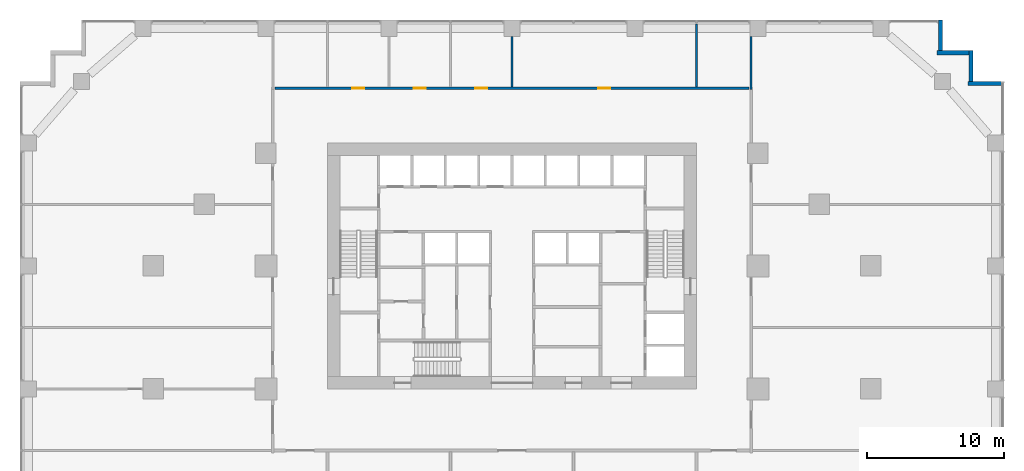
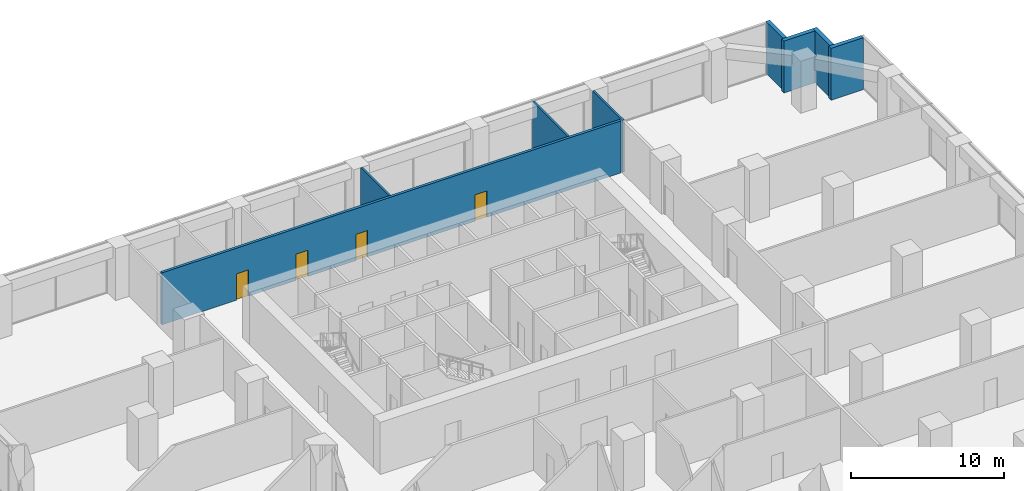
# One storey, part 16 of 18: 8 walls, 4 doors, 4 openings.
"""IFC4 building model written with IfcOpenShell, lengths in metres."""

import ifcopenshell
import ifcopenshell.guid

model = None  # the IFC model being written
_history = None  # IfcOwnerHistory: only IFC2X3 demands one
_inside = {}  # id of a spatial element -> (the spatial element, [elements in it])
_under = {}  # id of a project, library or spatial element -> (it, [spatial elements below it])
_declared = {}  # id of a project -> (the project, [libraries it declares])
_typed = {}  # id of a type object -> (the type object, [elements of that type])
_made_of = {}  # id of a material, layer set ... -> (it, [elements and type objects made of it])


def new_model(schema):
    """Start an empty IFC model of exactly this schema.

    Asked for "IFC4X3", IfcOpenShell would pick the latest addendum, in which some entities
    have other attributes; the version numbers below select the first issue.
    IFC2X3 requires an IfcOwnerHistory on every rooted entity: one is made here for all.
    """
    global model, _history
    if schema == "IFC4X3":
        model = ifcopenshell.file(schema_version=(4, 3, 0, 0))
    else:
        model = ifcopenshell.file(schema=schema)
    _inside.clear()
    _under.clear()
    _declared.clear()
    _typed.clear()
    _made_of.clear()
    _history = None
    if model.schema == "IFC2X3":
        org = make("IfcOrganization", Name="unknown")
        user = make(
            "IfcPersonAndOrganization",
            ThePerson=make("IfcPerson", FamilyName="unknown"),
            TheOrganization=org,
        )
        app = make(
            "IfcApplication",
            ApplicationDeveloper=org,
            Version="unknown",
            ApplicationFullName="unknown",
            ApplicationIdentifier="unknown",
        )
        _history = make(
            "IfcOwnerHistory",
            OwningUser=user,
            OwningApplication=app,
            ChangeAction="ADDED",
            CreationDate=0,
        )
    return model


def make(cls, **values):
    """One entity of the class cls with the attributes given. An attribute that is None is left unset."""
    return model.create_entity(
        cls, **{name: value for name, value in values.items() if value is not None}
    )


def rooted(cls, **values):
    """An entity with a GlobalId (a new one), such as an element, a storey or a relation."""
    return make(cls, GlobalId=ifcopenshell.guid.new(), OwnerHistory=_history, **values)


def si_unit(unit_type, name, prefix=None):
    """IfcSIUnit, for example si_unit("LENGTHUNIT", "METRE", prefix="MILLI")."""
    return make("IfcSIUnit", UnitType=unit_type, Prefix=prefix, Name=name)


def assignment(units):
    """IfcUnitAssignment: the units of a project."""
    return None if units is None else make("IfcUnitAssignment", Units=units)


def point(xyz):
    """IfcCartesianPoint."""
    return None if xyz is None else make("IfcCartesianPoint", Coordinates=xyz)


def direction(xyz):
    """IfcDirection."""
    return None if xyz is None else make("IfcDirection", DirectionRatios=xyz)


def frame(location, z_axis=None, x_axis=None):
    """IfcAxis2Placement3D, a coordinate frame: its origin and axes. An axis left out is left unset."""
    return make(
        "IfcAxis2Placement3D",
        Location=point(location),
        Axis=direction(z_axis),
        RefDirection=direction(x_axis),
    )


def frame_2d(location, x_axis=None):
    """IfcAxis2Placement2D, a coordinate frame in the plane: its origin and x axis."""
    return make(
        "IfcAxis2Placement2D", Location=point(location), RefDirection=direction(x_axis)
    )


def origin():
    """The frame at (0, 0, 0) with its axes left unset."""
    return frame((0.0, 0.0, 0.0))


def place(relative_to, where):
    """IfcLocalPlacement: puts the frame where relative to a parent placement (None: the world)."""
    return make(
        "IfcLocalPlacement", PlacementRelTo=relative_to, RelativePlacement=where
    )


def context(
    kind, dimensions, precision=None, world=None, true_north=None, identifier=None
):
    """IfcGeometricRepresentationContext, for example the 3D "Model" context."""
    return make(
        "IfcGeometricRepresentationContext",
        ContextIdentifier=identifier,
        ContextType=kind,
        CoordinateSpaceDimension=dimensions,
        Precision=precision,
        WorldCoordinateSystem=world,
        TrueNorth=true_north,
    )


def subcontext(parent, identifier, kind, view, scale=None):
    """IfcGeometricRepresentationSubContext, for example "Body" below "Model"."""
    return make(
        "IfcGeometricRepresentationSubContext",
        ContextIdentifier=identifier,
        ContextType=kind,
        ParentContext=parent,
        TargetScale=scale,
        TargetView=view,
    )


def project(units=None, contexts=None):
    """IfcProject with its units and contexts."""
    return rooted(
        "IfcProject",
        Name="project",
        RepresentationContexts=contexts,
        UnitsInContext=assignment(units),
    )


def spatial(cls, under=None, at=None, **own):
    """A site, building, storey or space (cls), placed at a placement, below another one or the project."""
    s = rooted(cls, ObjectPlacement=at, **own)
    if under is not None:
        _under.setdefault(under.id(), (under, []))[1].append(s)
    return s


def profile(cls, at=None, kind="AREA", **sizes):
    """A parametric profile (cls). Its sizes go by their IFC names, for example OverallWidth=200.0."""
    return make(cls, ProfileType=kind, Position=at, **sizes)


def rectangle(**sizes):
    """IfcRectangleProfileDef."""
    return profile("IfcRectangleProfileDef", **sizes)


def extrude(swept, where, along, depth):
    """IfcExtrudedAreaSolid: the profile swept, set in the frame where, extruded along a direction by depth."""
    return make(
        "IfcExtrudedAreaSolid",
        SweptArea=swept,
        Position=where,
        ExtrudedDirection=direction(along),
        Depth=depth,
    )


def shape(context_of_items, identifier, shape_type, items):
    """IfcShapeRepresentation: the items that make up one representation, for example the "Body"."""
    return make(
        "IfcShapeRepresentation",
        ContextOfItems=context_of_items,
        RepresentationIdentifier=identifier,
        RepresentationType=shape_type,
        Items=items,
    )


def material(Name=None, Category=None):
    """IfcMaterial."""
    return make("IfcMaterial", Name=Name, Category=Category)


def layer(
    of_material, thickness, ventilated=None, Name=None, Category=None, Priority=None
):
    """IfcMaterialLayer: one layer of a wall or slab, of a material (None: an air gap)."""
    return make(
        "IfcMaterialLayer",
        Material=of_material,
        LayerThickness=thickness,
        IsVentilated=ventilated,
        Name=Name,
        Category=Category,
        Priority=Priority,
    )


def layer_set(layers, Name=None):
    """IfcMaterialLayerSet."""
    return make("IfcMaterialLayerSet", MaterialLayers=layers, LayerSetName=Name)


def made_of(thing, what):
    """Note that an element or type object is made of a material, layer set ...; save() writes the relation."""
    if what is not None:
        _made_of.setdefault(what.id(), (what, []))[1].append(thing)
    return thing


def type_object(cls, material=None, **own):
    """A type object (cls), such as IfcWallType, which elements share."""
    return made_of(rooted(cls, **own), material)


def element(
    cls,
    number,
    at=None,
    inside=None,
    cuts=None,
    type_object=None,
    material=None,
    context=None,
    identifier="Body",
    shape_type=None,
    held_by="IfcProductDefinitionShape",
    body=None,
    shapes=None,
    **own,
):
    """One element of the class cls, such as IfcWall. Its Tag is "e" and its number.

    at: its placement. inside: the storey or other place that contains it. cuts: it is an
    opening in that element (IfcRelVoidsElement). A single representation is given by context,
    identifier, shape_type and body (its items); several are given by shapes. held_by: the class
    of the entity that holds the representations. save() writes the other relations.
    """
    e = rooted(cls, Tag="e%d" % number, ObjectPlacement=at, **own)
    if body is not None:
        shapes = [shape(context, identifier, shape_type, body)]
    if shapes is not None:
        e.Representation = make(held_by, Representations=shapes)
    if inside is not None:
        _inside.setdefault(inside.id(), (inside, []))[1].append(e)
    if cuts is not None:
        rooted(
            "IfcRelVoidsElement", RelatingBuildingElement=cuts, RelatedOpeningElement=e
        )
    if type_object is not None:
        _typed.setdefault(type_object.id(), (type_object, []))[1].append(e)
    return made_of(e, material)


def fill(opening, filler):
    """IfcRelFillsElement: the door or window that sits in an opening."""
    return rooted(
        "IfcRelFillsElement",
        RelatingOpeningElement=opening,
        RelatedBuildingElement=filler,
    )


def aggregate(whole, parts):
    """IfcRelAggregates: a whole, such as a stair, and the parts it consists of."""
    return rooted("IfcRelAggregates", RelatingObject=whole, RelatedObjects=parts)


def save(model, path):
    """Write the relations noted so far, then the file.

    IfcRelAggregates (storeys below a building ...), IfcRelContainedInSpatialStructure (elements
    in a storey), IfcRelDefinesByType, IfcRelAssociatesMaterial and IfcRelDeclares: one each for
    every whole, place, type object, material and project.
    """
    for whole, parts in _under.values():
        aggregate(whole, parts)
    for where, things in _inside.values():
        rooted(
            "IfcRelContainedInSpatialStructure",
            RelatedElements=things,
            RelatingStructure=where,
        )
    for kind, things in _typed.values():
        rooted("IfcRelDefinesByType", RelatedObjects=things, RelatingType=kind)
    for what, things in _made_of.values():
        rooted("IfcRelAssociatesMaterial", RelatedObjects=things, RelatingMaterial=what)
    for by, libraries in _declared.values():
        rooted("IfcRelDeclares", RelatingContext=by, RelatedDefinitions=libraries)
    model.write(path)


model = new_model("IFC4")

# Units and contexts
model_context = context("Model", 3, precision=1e-05, world=origin(), true_north=direction((0.0, 1.0)))
body_context = subcontext(model_context, "Body", "Model", "MODEL_VIEW")
ifc_project = project(units=[si_unit("LENGTHUNIT", "METRE"), si_unit("AREAUNIT", "SQUARE_METRE"), si_unit("VOLUMEUNIT", "CUBIC_METRE"), si_unit("PLANEANGLEUNIT", "RADIAN"), si_unit("MASSUNIT", "GRAM", prefix="KILO")], contexts=[model_context])

# Site, building, storey
site_placement = place(None, origin())
site = spatial("IfcSite", under=ifc_project, at=site_placement, CompositionType="ELEMENT")
building_placement = place(site_placement, origin())
building = spatial("IfcBuilding", under=site, at=building_placement, Name="Orbiselva Terraces", CompositionType="ELEMENT")
storey_placement = place(building_placement, frame((0.0, 0.0, 6.0)))
storey = spatial("IfcBuildingStorey", under=building, at=storey_placement, Name="L01", CompositionType="ELEMENT", Elevation=6.0)

# Walls
ifc_material_1 = material(Name="Terracotta cladding on masonry backing", Category="masonry")
ifc_layer_1 = layer(ifc_material_1, 0.3)
ifc_layer_set_1 = layer_set([ifc_layer_1], Name="Terracotta cladding on masonry backing")
wall_type_1 = type_object("IfcWallType", Name="ENV-WALL-TERRACOTTA-300", PredefinedType="SOLIDWALL", material=ifc_layer_set_1)
wall_1_placement = place(storey_placement, frame((33.35, 26.85, 0.0), z_axis=(0.0, 0.0, 1.0), x_axis=(1.0, 0.0, 0.0)))
element("IfcWall", 1, at=wall_1_placement, inside=storey, type_object=wall_type_1, Name="Facade wall L01 STEP", PredefinedType="SOLIDWALL", context=body_context, shape_type="SweptSolid", body=[
    extrude(rectangle(XDim=2.45, YDim=0.3, at=frame_2d((1.225, 0.0))), origin(), (0.0, 0.0, 1.0), 4.15),
])
wall_2_placement = place(storey_placement, frame((33.6, 29.25, 0.0), z_axis=(0.0, 0.0, 1.0), x_axis=(0.0, -1.0, 0.0)))
element("IfcWall", 2, at=wall_2_placement, inside=storey, type_object=wall_type_1, Name="Facade wall L01 STEP", PredefinedType="SOLIDWALL", context=body_context, shape_type="SweptSolid", body=[
    extrude(rectangle(XDim=2.25, YDim=0.3, at=frame_2d((1.125, 0.0))), origin(), (0.0, 0.0, 1.0), 4.15),
])
wall_3_placement = place(storey_placement, frame((31.1, 29.1, 0.0), z_axis=(0.0, 0.0, 1.0), x_axis=(1.0, 0.0, 0.0)))
element("IfcWall", 3, at=wall_3_placement, inside=storey, type_object=wall_type_1, Name="Facade wall L01 STEP", PredefinedType="SOLIDWALL", context=body_context, shape_type="SweptSolid", body=[
    extrude(rectangle(XDim=2.35, YDim=0.3, at=frame_2d((1.175, 0.0))), origin(), (0.0, 0.0, 1.0), 4.15),
])
wall_4_placement = place(storey_placement, frame((31.35, 31.5, 0.0), z_axis=(0.0, 0.0, 1.0), x_axis=(0.0, -1.0, 0.0)))
element("IfcWall", 4, at=wall_4_placement, inside=storey, type_object=wall_type_1, Name="Facade wall L01 STEP", PredefinedType="SOLIDWALL", context=body_context, shape_type="SweptSolid", body=[
    extrude(rectangle(XDim=2.25, YDim=0.3, at=frame_2d((1.125, 0.0))), origin(), (0.0, 0.0, 1.0), 4.15),
])

# Wall, openings, doors
ifc_material_2 = material(Name="Plasterboard on steel stud partition", Category="steel")
ifc_layer_2 = layer(ifc_material_2, 0.2)
ifc_layer_set_2 = layer_set([ifc_layer_2], Name="Plasterboard on steel stud partition")
wall_type_2 = type_object("IfcWallType", Name="UNIT-ENTRANCE-WALL-200", PredefinedType="PARTITIONING", material=ifc_layer_set_2)
wall_5_placement = place(storey_placement, frame((-17.325, 26.5, 0.0), z_axis=(0.0, 0.0, 1.0), x_axis=(1.0, 0.0, 0.0)))
wall_5 = element("IfcWall", 5, at=wall_5_placement, inside=storey, type_object=wall_type_2, Name="PARTITION L01-026", PredefinedType="PARTITIONING", context=body_context, shape_type="SweptSolid", body=[
    extrude(rectangle(XDim=34.65, YDim=0.2, at=frame_2d((17.325, 0.0))), origin(), (0.0, 0.0, 1.0), 4.15),
])
opening_1_placement = place(wall_5_placement, frame((5.625, 0.0, 0.0)))
opening_1 = element("IfcOpeningElement", 6, at=opening_1_placement, cuts=wall_5, Name="Opening PODIUM-AMENITY-11", PredefinedType="OPENING", context=body_context, shape_type="SweptSolid", body=[
    extrude(rectangle(XDim=0.9, YDim=2.1, at=frame_2d((0.45, 1.05))), frame((0.0, 0.11, 0.0), z_axis=(0.0, -1.0, 0.0), x_axis=(1.0, 0.0, 0.0)), (0.0, 0.0, 1.0), 0.22),
])
opening_2_placement = place(wall_5_placement, frame((10.125, 0.0, 0.0)))
opening_2 = element("IfcOpeningElement", 7, at=opening_2_placement, cuts=wall_5, Name="Opening PODIUM-AMENITY-12", PredefinedType="OPENING", context=body_context, shape_type="SweptSolid", body=[
    extrude(rectangle(XDim=0.9, YDim=2.1, at=frame_2d((0.45, 1.05))), frame((0.0, 0.11, 0.0), z_axis=(0.0, -1.0, 0.0), x_axis=(1.0, 0.0, 0.0)), (0.0, 0.0, 1.0), 0.22),
])
opening_3_placement = place(wall_5_placement, frame((14.625, 0.0, 0.0)))
opening_3 = element("IfcOpeningElement", 8, at=opening_3_placement, cuts=wall_5, Name="Opening PODIUM-AMENITY-13", PredefinedType="OPENING", context=body_context, shape_type="SweptSolid", body=[
    extrude(rectangle(XDim=0.9, YDim=2.1, at=frame_2d((0.45, 1.05))), frame((0.0, 0.11, 0.0), z_axis=(0.0, -1.0, 0.0), x_axis=(1.0, 0.0, 0.0)), (0.0, 0.0, 1.0), 0.22),
])
opening_4_placement = place(wall_5_placement, frame((23.625, 0.0, 0.0)))
opening_4 = element("IfcOpeningElement", 9, at=opening_4_placement, cuts=wall_5, Name="Opening PODIUM-AMENITY-14", PredefinedType="OPENING", context=body_context, shape_type="SweptSolid", body=[
    extrude(rectangle(XDim=0.9, YDim=2.1, at=frame_2d((0.45, 1.05))), frame((0.0, 0.11, 0.0), z_axis=(0.0, -1.0, 0.0), x_axis=(1.0, 0.0, 0.0)), (0.0, 0.0, 1.0), 0.22),
])
ifc_material_3 = material(Name="Painted timber door leaf", Category="wood")
door_type_1 = type_object("IfcDoorType", Name="BATH DOOR 900", OperationType="NOTDEFINED", PredefinedType="DOOR", material=ifc_material_3)
door_1_placement = place(opening_1_placement, origin())
door_1 = element("IfcDoor", 10, at=door_1_placement, inside=storey, type_object=door_type_1, Name="PODIUM-AMENITY-11", OperationType="SINGLE_SWING_LEFT", OverallHeight=2.1, OverallWidth=0.9, PredefinedType="DOOR", context=body_context, shape_type="SweptSolid", body=[
    extrude(rectangle(XDim=0.9, YDim=2.1, at=frame_2d((0.45, 1.05))), frame((0.0, 0.025, 0.0), z_axis=(0.0, -1.0, 0.0), x_axis=(1.0, 0.0, 0.0)), (0.0, 0.0, 1.0), 0.05),
])
fill(opening_1, door_1)
door_2_placement = place(opening_2_placement, origin())
door_2 = element("IfcDoor", 11, at=door_2_placement, inside=storey, type_object=door_type_1, Name="PODIUM-AMENITY-12", OperationType="SINGLE_SWING_LEFT", OverallHeight=2.1, OverallWidth=0.9, PredefinedType="DOOR", context=body_context, shape_type="SweptSolid", body=[
    extrude(rectangle(XDim=0.9, YDim=2.1, at=frame_2d((0.45, 1.05))), frame((0.0, 0.025, 0.0), z_axis=(0.0, -1.0, 0.0), x_axis=(1.0, 0.0, 0.0)), (0.0, 0.0, 1.0), 0.05),
])
fill(opening_2, door_2)
door_3_placement = place(opening_3_placement, origin())
door_3 = element("IfcDoor", 12, at=door_3_placement, inside=storey, type_object=door_type_1, Name="PODIUM-AMENITY-13", OperationType="SINGLE_SWING_LEFT", OverallHeight=2.1, OverallWidth=0.9, PredefinedType="DOOR", context=body_context, shape_type="SweptSolid", body=[
    extrude(rectangle(XDim=0.9, YDim=2.1, at=frame_2d((0.45, 1.05))), frame((0.0, 0.025, 0.0), z_axis=(0.0, -1.0, 0.0), x_axis=(1.0, 0.0, 0.0)), (0.0, 0.0, 1.0), 0.05),
])
fill(opening_3, door_3)
door_type_2 = type_object("IfcDoorType", Name="SERVICE DOOR 900", OperationType="NOTDEFINED", PredefinedType="DOOR", material=ifc_material_3)
door_4_placement = place(opening_4_placement, origin())
door_4 = element("IfcDoor", 13, at=door_4_placement, inside=storey, type_object=door_type_2, Name="PODIUM-AMENITY-14", OperationType="SINGLE_SWING_RIGHT", OverallHeight=2.1, OverallWidth=0.9, PredefinedType="DOOR", context=body_context, shape_type="SweptSolid", body=[
    extrude(rectangle(XDim=0.9, YDim=2.1, at=frame_2d((0.45, 1.05))), frame((0.0, 0.025, 0.0), z_axis=(0.0, -1.0, 0.0), x_axis=(1.0, 0.0, 0.0)), (0.0, 0.0, 1.0), 0.05),
])
fill(opening_4, door_4)

# Walls
ifc_layer_3 = layer(ifc_material_2, 0.15)
ifc_layer_set_3 = layer_set([ifc_layer_3], Name="Plasterboard on steel stud partition")
wall_type_3 = type_object("IfcWallType", Name="UNIT-PARTITION-150", PredefinedType="PARTITIONING", material=ifc_layer_set_3)
wall_6_placement = place(storey_placement, frame((0.0, 26.6, 0.0), z_axis=(0.0, 0.0, 1.0), x_axis=(0.0, 1.0, 0.0)))
element("IfcWall", 14, at=wall_6_placement, inside=storey, type_object=wall_type_3, Name="PARTITION L01-042", PredefinedType="PARTITIONING", context=body_context, shape_type="SweptSolid", body=[
    extrude(rectangle(XDim=3.7, YDim=0.15, at=frame_2d((1.85, 0.0))), origin(), (0.0, 0.0, 1.0), 4.15),
])
wall_7_placement = place(storey_placement, frame((13.5, 26.6, 0.0), z_axis=(0.0, 0.0, 1.0), x_axis=(0.0, 1.0, 0.0)))
element("IfcWall", 15, at=wall_7_placement, inside=storey, type_object=wall_type_3, Name="PARTITION L01-047", PredefinedType="PARTITIONING", context=body_context, shape_type="SweptSolid", body=[
    extrude(rectangle(XDim=4.6, YDim=0.15, at=frame_2d((2.3, 0.0))), origin(), (0.0, 0.0, 1.0), 4.15),
])
wall_8_placement = place(storey_placement, frame((17.5, 26.4, 0.0), z_axis=(0.0, 0.0, 1.0), x_axis=(0.0, 1.0, 0.0)))
element("IfcWall", 16, at=wall_8_placement, inside=storey, type_object=wall_type_3, Name="PARTITION L01-053", PredefinedType="PARTITIONING", context=body_context, shape_type="SweptSolid", body=[
    extrude(rectangle(XDim=3.9, YDim=0.15, at=frame_2d((1.95, 0.0))), origin(), (0.0, 0.0, 1.0), 4.15),
])

save(model, "model.ifc")
